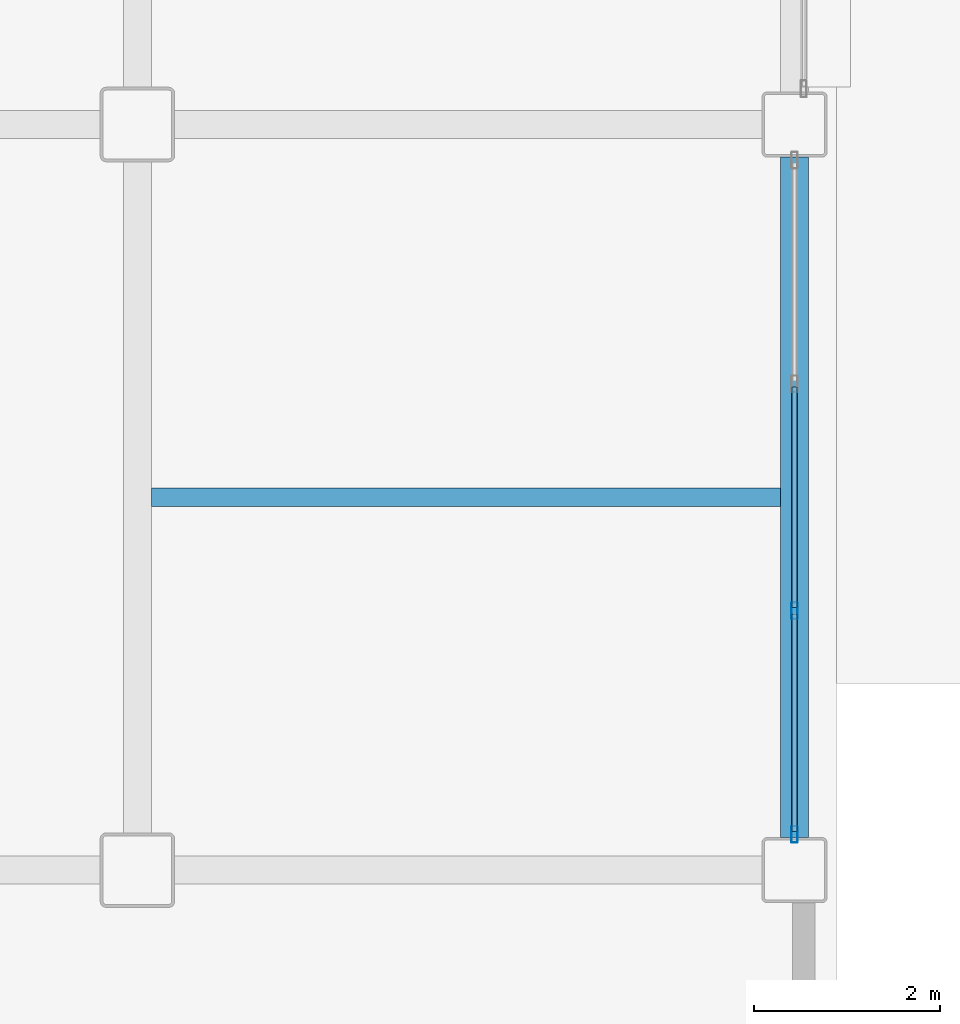
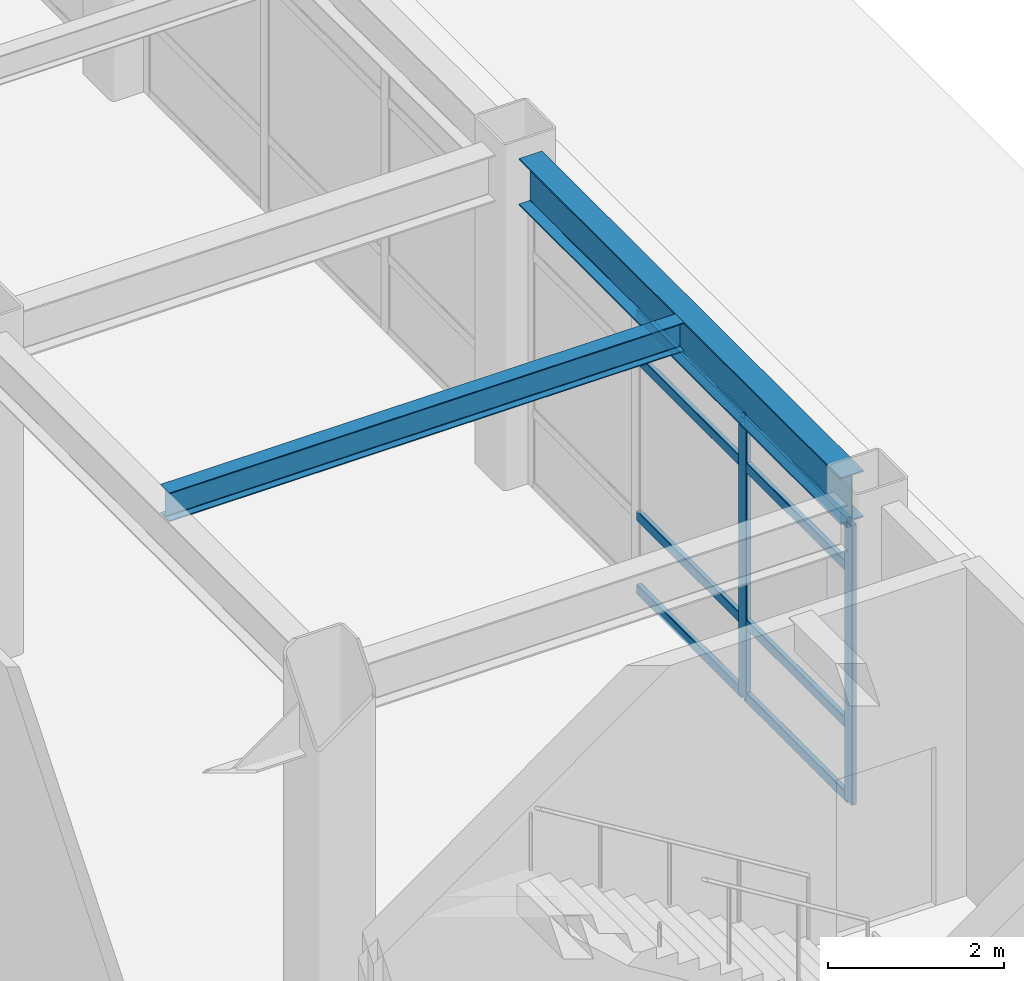
# One storey, part 100 of 172: 10 members, 2 beams, 1 element without a shape of its own.
"""IFC4 building model written with IfcOpenShell, lengths in metres."""

from ifc_helpers import new_model, si_unit, direction, frame, origin, origin_2d, place, context, subcontext, project, spatial, hollow_rectangle, i_section, extrude, material, layer, layer_set, material_profile, profile_set, type_object, element, aggregate, save


model = new_model("IFC4")

# Units and contexts
model_context = context("Model", 3, precision=1e-05, world=origin(), true_north=direction((0.0, 1.0)))
body_context = subcontext(model_context, "Body", "Model", "MODEL_VIEW")
ifc_project = project(units=[si_unit("LENGTHUNIT", "METRE"), si_unit("AREAUNIT", "SQUARE_METRE"), si_unit("VOLUMEUNIT", "CUBIC_METRE"), si_unit("PLANEANGLEUNIT", "RADIAN"), si_unit("MASSUNIT", "GRAM", prefix="KILO")], contexts=[model_context])

# Site, building, storey
site_placement = place(None, origin())
site = spatial("IfcSite", under=ifc_project, at=site_placement, CompositionType="ELEMENT")
building_placement = place(site_placement, origin())
building = spatial("IfcBuilding", under=site, at=building_placement, Name="Kazehara Bluff Congress Hotel", CompositionType="ELEMENT")
storey_placement = place(building_placement, frame((0.0, 0.0, 5.39990234375)))
storey = spatial("IfcBuildingStorey", under=building, at=storey_placement, Name="L01", CompositionType="ELEMENT", Elevation=5.39990234375)

# Curtain wall, members
ifc_material_1 = material(Name="Anodised aluminium", Category="aluminium")
ifc_layer = layer(ifc_material_1, 0.159912109375)
ifc_layer_set = layer_set([ifc_layer], Name="Anodised aluminium")
curtain_wall_type = type_object("IfcCurtainWallType", Name="TP-CW-80", PredefinedType="NOTDEFINED", material=ifc_layer_set)
curtain_wall_placement = place(storey_placement, origin())
curtain_wall = element("IfcCurtainWall", 1, at=curtain_wall_placement, inside=storey, type_object=curtain_wall_type, Name="L01 curtain wall CW-80 CW-V5-L01-X16755-2435", PredefinedType="NOTDEFINED")
ifc_material_2 = material(Name="Anodised aluminium", Category="aluminium")
ifc_material_profile_1 = material_profile(ifc_material_2, hollow_rectangle(XDim=0.06494140625, YDim=0.179931640625, WallThickness=0.00390625, InnerFilletRadius=0.00390625, OuterFilletRadius=0.008056640625, at=origin_2d()))
ifc_profile_set_1 = profile_set([ifc_material_profile_1], Name="Anodised aluminium")
member_type_1 = type_object("IfcMemberType", Name="TP-CWM-02", PredefinedType="MULLION", material=ifc_profile_set_1)
member_1_placement = place(storey_placement, frame((167.550048828125, 24.382568359375, 0.0), z_axis=(0.0, 0.0, 1.0), x_axis=(-1.0, 0.0, 0.0)))
member_1 = element("IfcMember", 2, at=member_1_placement, type_object=member_type_1, Name="CW-80 mullion 1", PredefinedType="MULLION", context=body_context, shape_type="SweptSolid", body=[
    extrude(hollow_rectangle(XDim=0.06494140625, YDim=0.179931640625, WallThickness=0.00390625, InnerFilletRadius=0.00390625, OuterFilletRadius=0.008056640625, at=origin_2d()), origin(), (0.0, 0.0, 1.0), 3.875),
])
member_2_placement = place(storey_placement, frame((167.550048828125, 26.783447265625, 0.0), z_axis=(0.0, 0.0, 1.0), x_axis=(-1.0, 0.0, 0.0)))
member_2 = element("IfcMember", 3, at=member_2_placement, type_object=member_type_1, Name="CW-80 mullion 2", PredefinedType="MULLION", context=body_context, shape_type="SweptSolid", body=[
    extrude(hollow_rectangle(XDim=0.06494140625, YDim=0.179931640625, WallThickness=0.00390625, InnerFilletRadius=0.00390625, OuterFilletRadius=0.008056640625, at=origin_2d()), origin(), (0.0, 0.0, 1.0), 3.875),
])
ifc_material_3 = material(Name="Anodised aluminium", Category="aluminium")
ifc_material_profile_2 = material_profile(ifc_material_3, hollow_rectangle(XDim=0.06494140625, YDim=0.139892578125, WallThickness=0.00390625, InnerFilletRadius=0.00390625, OuterFilletRadius=0.008056640625, at=origin_2d()))
ifc_profile_set_2 = profile_set([ifc_material_profile_2], Name="Anodised aluminium")
member_type_2 = type_object("IfcMemberType", Name="TP-CWT-02", PredefinedType="USERDEFINED", material=ifc_profile_set_2)
member_3_placement = place(storey_placement, frame((167.550048828125, 24.4150390625, 0.03271484375), z_axis=(0.0, 1.0, 0.0), x_axis=(-1.0, 0.0, 0.0)))
member_3 = element("IfcMember", 4, at=member_3_placement, type_object=member_type_2, Name="CW-80 transom 1.1", ObjectType="TRANSOM", PredefinedType="USERDEFINED", context=body_context, shape_type="SweptSolid", body=[
    extrude(hollow_rectangle(XDim=0.06494140625, YDim=0.139892578125, WallThickness=0.00390625, InnerFilletRadius=0.00390625, OuterFilletRadius=0.008056640625, at=origin_2d()), origin(), (0.0, 0.0, 1.0), 2.335693359375),
])
member_4_placement = place(storey_placement, frame((167.550048828125, 24.4150390625, 1.050048828125), z_axis=(0.0, 1.0, 0.0), x_axis=(-1.0, 0.0, 0.0)))
member_4 = element("IfcMember", 5, at=member_4_placement, type_object=member_type_2, Name="CW-80 transom 1.2", ObjectType="TRANSOM", PredefinedType="USERDEFINED", context=body_context, shape_type="SweptSolid", body=[
    extrude(hollow_rectangle(XDim=0.06494140625, YDim=0.139892578125, WallThickness=0.00390625, InnerFilletRadius=0.00390625, OuterFilletRadius=0.008056640625, at=origin_2d()), origin(), (0.0, 0.0, 1.0), 2.335693359375),
])
member_5_placement = place(storey_placement, frame((167.550048828125, 24.4150390625, 3.22509765625), z_axis=(0.0, 1.0, 0.0), x_axis=(-1.0, 0.0, 0.0)))
member_5 = element("IfcMember", 6, at=member_5_placement, type_object=member_type_2, Name="CW-80 transom 1.3", ObjectType="TRANSOM", PredefinedType="USERDEFINED", context=body_context, shape_type="SweptSolid", body=[
    extrude(hollow_rectangle(XDim=0.06494140625, YDim=0.139892578125, WallThickness=0.00390625, InnerFilletRadius=0.00390625, OuterFilletRadius=0.008056640625, at=origin_2d()), origin(), (0.0, 0.0, 1.0), 2.335693359375),
])
member_6_placement = place(storey_placement, frame((167.550048828125, 24.4150390625, 3.842529296875), z_axis=(0.0, 1.0, 0.0), x_axis=(-1.0, 0.0, 0.0)))
member_6 = element("IfcMember", 7, at=member_6_placement, type_object=member_type_2, Name="CW-80 transom 1.4", ObjectType="TRANSOM", PredefinedType="USERDEFINED", context=body_context, shape_type="SweptSolid", body=[
    extrude(hollow_rectangle(XDim=0.06494140625, YDim=0.139892578125, WallThickness=0.00390625, InnerFilletRadius=0.00390625, OuterFilletRadius=0.008056640625, at=origin_2d()), origin(), (0.0, 0.0, 1.0), 2.335693359375),
])
member_7_placement = place(storey_placement, frame((167.550048828125, 26.81591796875, 0.03271484375), z_axis=(0.0, 1.0, 0.0), x_axis=(-1.0, 0.0, 0.0)))
member_7 = element("IfcMember", 8, at=member_7_placement, type_object=member_type_2, Name="CW-80 transom 2.1", ObjectType="TRANSOM", PredefinedType="USERDEFINED", context=body_context, shape_type="SweptSolid", body=[
    extrude(hollow_rectangle(XDim=0.06494140625, YDim=0.139892578125, WallThickness=0.00390625, InnerFilletRadius=0.00390625, OuterFilletRadius=0.008056640625, at=origin_2d()), origin(), (0.0, 0.0, 1.0), 2.3681640625),
])
member_8_placement = place(storey_placement, frame((167.550048828125, 26.81591796875, 1.050048828125), z_axis=(0.0, 1.0, 0.0), x_axis=(-1.0, 0.0, 0.0)))
member_8 = element("IfcMember", 9, at=member_8_placement, type_object=member_type_2, Name="CW-80 transom 2.2", ObjectType="TRANSOM", PredefinedType="USERDEFINED", context=body_context, shape_type="SweptSolid", body=[
    extrude(hollow_rectangle(XDim=0.06494140625, YDim=0.139892578125, WallThickness=0.00390625, InnerFilletRadius=0.00390625, OuterFilletRadius=0.008056640625, at=origin_2d()), origin(), (0.0, 0.0, 1.0), 2.3681640625),
])
member_9_placement = place(storey_placement, frame((167.550048828125, 26.81591796875, 3.22509765625), z_axis=(0.0, 1.0, 0.0), x_axis=(-1.0, 0.0, 0.0)))
member_9 = element("IfcMember", 10, at=member_9_placement, type_object=member_type_2, Name="CW-80 transom 2.3", ObjectType="TRANSOM", PredefinedType="USERDEFINED", context=body_context, shape_type="SweptSolid", body=[
    extrude(hollow_rectangle(XDim=0.06494140625, YDim=0.139892578125, WallThickness=0.00390625, InnerFilletRadius=0.00390625, OuterFilletRadius=0.008056640625, at=origin_2d()), origin(), (0.0, 0.0, 1.0), 2.3681640625),
])
member_10_placement = place(storey_placement, frame((167.550048828125, 26.81591796875, 3.842529296875), z_axis=(0.0, 1.0, 0.0), x_axis=(-1.0, 0.0, 0.0)))
member_10 = element("IfcMember", 11, at=member_10_placement, type_object=member_type_2, Name="CW-80 transom 2.4", ObjectType="TRANSOM", PredefinedType="USERDEFINED", context=body_context, shape_type="SweptSolid", body=[
    extrude(hollow_rectangle(XDim=0.06494140625, YDim=0.139892578125, WallThickness=0.00390625, InnerFilletRadius=0.00390625, OuterFilletRadius=0.008056640625, at=origin_2d()), origin(), (0.0, 0.0, 1.0), 2.3681640625),
])
aggregate(curtain_wall, [member_1, member_2, member_3, member_4, member_5, member_6, member_7, member_8, member_9, member_10])

# Beams
ifc_material_4 = material(Name="Steel SN490B", Category="steel")
ifc_material_profile_3 = material_profile(ifc_material_4, i_section(OverallWidth=0.300048828125, OverallDepth=0.64990234375, WebThickness=0.011962890625, FlangeThickness=0.02001953125, FilletRadius=0.012939453125, at=origin_2d()))
ifc_profile_set_3 = profile_set([ifc_material_profile_3], Name="Steel SN490B")
beam_type_1 = type_object("IfcBeamType", Name="TP-G-03", PredefinedType="BEAM", material=ifc_profile_set_3)
beam_1_placement = place(storey_placement, frame((167.550048828125, 24.35009765625, 4.22509765625), z_axis=(0.0, 1.0, 0.0), x_axis=(-1.0, 0.0, 0.0)))
element("IfcBeam", 12, at=beam_1_placement, inside=storey, type_object=beam_type_1, Name="L01 girder G-03 262", PredefinedType="BEAM", context=body_context, shape_type="SweptSolid", body=[
    extrude(i_section(OverallWidth=0.300048828125, OverallDepth=0.64990234375, WebThickness=0.011962890625, FlangeThickness=0.02001953125, FilletRadius=0.012939453125, at=origin_2d()), origin(), (0.0, 0.0, 1.0), 7.2998046875),
])
ifc_material_5 = material(Name="Steel SN400B", Category="steel")
ifc_material_profile_4 = material_profile(ifc_material_5, i_section(OverallWidth=0.199951171875, OverallDepth=0.39990234375, WebThickness=0.008056640625, FlangeThickness=0.012939453125, FilletRadius=0.012939453125, at=origin_2d()))
ifc_profile_set_4 = profile_set([ifc_material_profile_4], Name="Steel SN400B")
beam_type_2 = type_object("IfcBeamType", Name="TP-J-03", PredefinedType="JOIST", material=ifc_profile_set_4)
beam_2_placement = place(storey_placement, frame((160.64990234375, 28.0, 4.35009765625), z_axis=(1.0, 0.0, 0.0), x_axis=(0.0, 1.0, 0.0)))
element("IfcBeam", 13, at=beam_2_placement, inside=storey, type_object=beam_type_2, Name="L01 secondary joist J-03 73", PredefinedType="JOIST", context=body_context, shape_type="SweptSolid", body=[
    extrude(i_section(OverallWidth=0.199951171875, OverallDepth=0.39990234375, WebThickness=0.008056640625, FlangeThickness=0.012939453125, FilletRadius=0.012939453125, at=origin_2d()), origin(), (0.0, 0.0, 1.0), 6.75),
])

save(model, "model.ifc")
